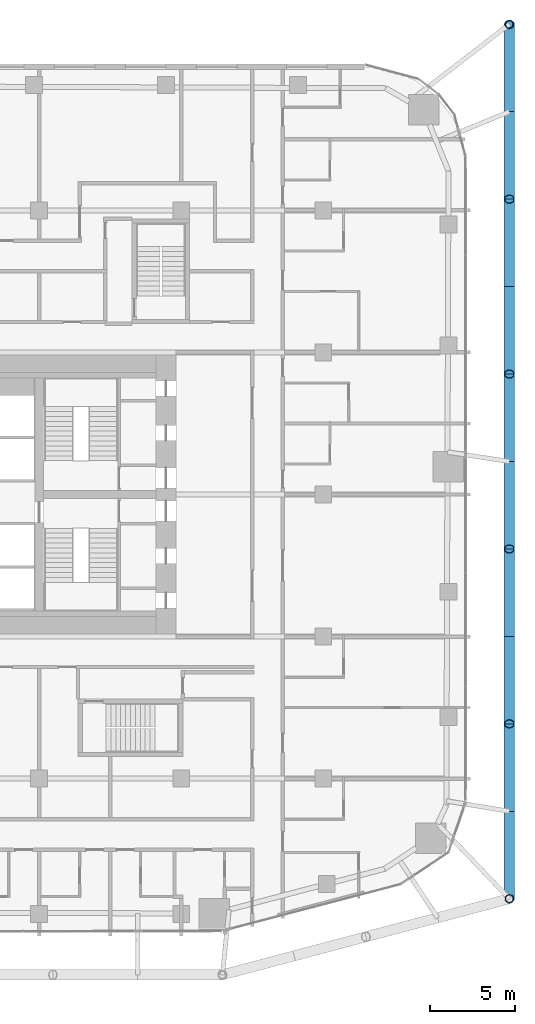
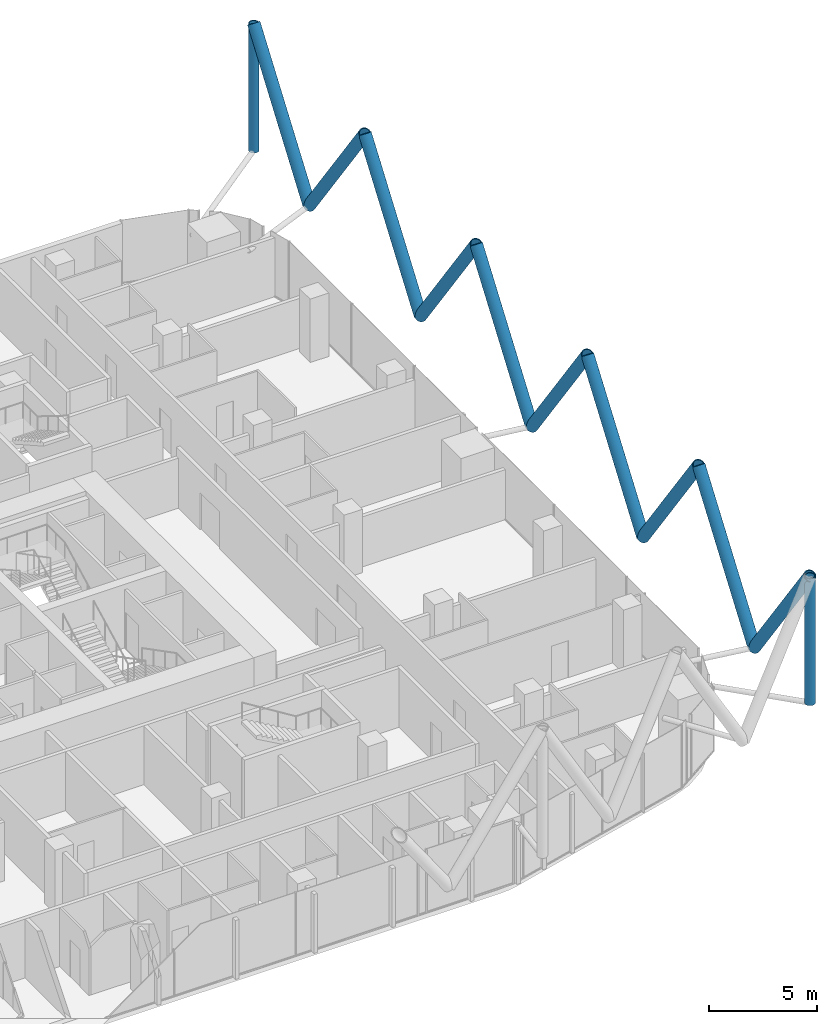
# One storey, part 15 of 38: 12 members.
"""IFC4 building model written with IfcOpenShell, lengths in metres."""

from ifc_helpers import new_model, si_unit, direction, frame, origin, origin_2d, place, context, subcontext, project, spatial, hollow_circle, extrude, material, material_profile, profile_set, type_object, element, save


model = new_model("IFC4")

# Units and contexts
model_context = context("Model", 3, precision=1e-05, world=origin(), true_north=direction((0.0, 1.0)))
body_context = subcontext(model_context, "Body", "Model", "MODEL_VIEW")
ifc_project = project(units=[si_unit("LENGTHUNIT", "METRE"), si_unit("AREAUNIT", "SQUARE_METRE"), si_unit("VOLUMEUNIT", "CUBIC_METRE"), si_unit("PLANEANGLEUNIT", "RADIAN"), si_unit("MASSUNIT", "GRAM", prefix="KILO")], contexts=[model_context])

# Site, building, storey
site_placement = place(None, origin())
site = spatial("IfcSite", under=ifc_project, at=site_placement, CompositionType="ELEMENT")
building_placement = place(site_placement, origin())
building = spatial("IfcBuilding", under=site, at=building_placement, Name="Marenta Gate Hotel Tower", CompositionType="ELEMENT")
storey_placement = place(building_placement, frame((0.0, 0.0, 40.10009765625)))
storey = spatial("IfcBuildingStorey", under=building, at=storey_placement, Name="L07", CompositionType="ELEMENT", Elevation=40.10009765625)

# Members
ifc_material_1 = material(Name="Steel S355J2W", Category="steel")
ifc_material_profile_1 = material_profile(ifc_material_1, hollow_circle(Radius=0.25390625, WallThickness=0.0400390625, at=origin_2d()), Name="CHS 508x40")
ifc_profile_set_1 = profile_set([ifc_material_profile_1], Name="Steel S355J2W")
member_type_1 = type_object("IfcMemberType", Name="Diagrid corner post Z1 CHS 508x40", PredefinedType="POST", material=ifc_profile_set_1)
for number, where, z_axis, x_axis, name in (
    (1, (32.0, 36.199951171875, 3.139892578125), (0.0, 0.0, 1.0), (1.0, 0.0, 0.0), "L07-DR-1"),
    (2, (32.0, -15.500244140625, 3.139892578125), (0.0, 0.0, 1.0), (1.0, 0.0, 0.0), "L07-DR-2"),
):
    element("IfcMember", number, at=place(storey_placement, frame(where, z_axis=z_axis, x_axis=x_axis)), inside=storey, type_object=member_type_1, Name=name, PredefinedType="POST", context=body_context, shape_type="SweptSolid", body=[
        extrude(hollow_circle(Radius=0.25390625, WallThickness=0.0400390625, at=origin_2d()), origin(), (0.0, 0.0, 1.0), 7.199951171875),
    ])
ifc_material_2 = material(Name="Steel S355J2W", Category="steel")
ifc_material_profile_2 = material_profile(ifc_material_2, hollow_circle(Radius=0.304931640625, WallThickness=0.0400390625, at=origin_2d()), Name="CHS 610x40")
ifc_profile_set_2 = profile_set([ifc_material_profile_2], Name="Steel S355J2W")
member_type_2 = type_object("IfcMemberType", Name="Diagrid diagonal Z1 CHS 610x40", PredefinedType="BRACE", material=ifc_profile_set_2)
for number, where, z_axis, x_axis, name in (
    (3, (32.0, 31.030029296875, 3.139892578125), (0.0, 0.583260841117, 0.812284919975), (-1.0, 0.0, 0.0), "L07-DG-1"),
    (4, (32.0, 31.030029296875, 3.139892578125), (0.0, -0.583260841117, 0.812284919975), (1.0, 0.0, 0.0), "L07-DG-2"),
):
    element("IfcMember", number, at=place(storey_placement, frame(where, z_axis=z_axis, x_axis=x_axis)), inside=storey, type_object=member_type_2, Name=name, PredefinedType="BRACE", context=body_context, shape_type="SweptSolid", body=[
        extrude(hollow_circle(Radius=0.304931640625, WallThickness=0.0400390625, at=origin_2d()), origin(), (0.0, 0.0, 1.0), 8.86376953125),
    ])
member_1_placement = place(storey_placement, frame((32.0, 20.68994140625, 3.139892578125), z_axis=(0.0, 0.583279014058, 0.812271870595), x_axis=(-1.0, 0.0, 0.0)))
element("IfcMember", 5, at=member_1_placement, inside=storey, type_object=member_type_2, Name="L07-DG-3", PredefinedType="BRACE", context=body_context, shape_type="SweptSolid", body=[
    extrude(hollow_circle(Radius=0.304931640625, WallThickness=0.0400390625, at=origin_2d()), origin(), (0.0, 0.0, 1.0), 8.864013671875),
])
member_2_placement = place(storey_placement, frame((32.0, 20.68994140625, 3.139892578125), z_axis=(0.0, -0.583260841117, 0.812284919975), x_axis=(1.0, 0.0, 0.0)))
element("IfcMember", 6, at=member_2_placement, inside=storey, type_object=member_type_2, Name="L07-DG-4", PredefinedType="BRACE", context=body_context, shape_type="SweptSolid", body=[
    extrude(hollow_circle(Radius=0.304931640625, WallThickness=0.0400390625, at=origin_2d()), origin(), (0.0, 0.0, 1.0), 8.86376953125),
])
member_3_placement = place(storey_placement, frame((32.0, 10.349853515625, 3.139892578125), z_axis=(0.0, 0.583279014058, 0.812271870595), x_axis=(-1.0, 0.0, 0.0)))
element("IfcMember", 7, at=member_3_placement, inside=storey, type_object=member_type_2, Name="L07-DG-5", PredefinedType="BRACE", context=body_context, shape_type="SweptSolid", body=[
    extrude(hollow_circle(Radius=0.304931640625, WallThickness=0.0400390625, at=origin_2d()), origin(), (0.0, 0.0, 1.0), 8.864013671875),
])
for number, where, z_axis, x_axis, name in (
    (8, (32.0, 10.349853515625, 3.139892578125), (0.0, -0.583260841117, 0.812284919975), (1.0, 0.0, 0.0), "L07-DG-6"),
    (9, (32.0, 0.010009765625, 3.139892578125), (0.0, 0.583260841117, 0.812284919975), (-1.0, 0.0, 0.0), "L07-DG-7"),
):
    element("IfcMember", number, at=place(storey_placement, frame(where, z_axis=z_axis, x_axis=x_axis)), inside=storey, type_object=member_type_2, Name=name, PredefinedType="BRACE", context=body_context, shape_type="SweptSolid", body=[
        extrude(hollow_circle(Radius=0.304931640625, WallThickness=0.0400390625, at=origin_2d()), origin(), (0.0, 0.0, 1.0), 8.86376953125),
    ])
member_4_placement = place(storey_placement, frame((32.0, 0.010009765625, 3.139892578125), z_axis=(0.0, -0.583279014058, 0.812271870595), x_axis=(1.0, 0.0, 0.0)))
element("IfcMember", 10, at=member_4_placement, inside=storey, type_object=member_type_2, Name="L07-DG-8", PredefinedType="BRACE", context=body_context, shape_type="SweptSolid", body=[
    extrude(hollow_circle(Radius=0.304931640625, WallThickness=0.0400390625, at=origin_2d()), origin(), (0.0, 0.0, 1.0), 8.864013671875),
])
member_5_placement = place(storey_placement, frame((32.0, -10.330078125, 3.139892578125), z_axis=(0.0, 0.583260841117, 0.812284919975), x_axis=(-1.0, 0.0, 0.0)))
element("IfcMember", 11, at=member_5_placement, inside=storey, type_object=member_type_2, Name="L07-DG-9", PredefinedType="BRACE", context=body_context, shape_type="SweptSolid", body=[
    extrude(hollow_circle(Radius=0.304931640625, WallThickness=0.0400390625, at=origin_2d()), origin(), (0.0, 0.0, 1.0), 8.86376953125),
])
member_6_placement = place(storey_placement, frame((32.0, -10.330078125, 3.139892578125), z_axis=(0.0, -0.583279014058, 0.812271870595), x_axis=(1.0, 0.0, 0.0)))
element("IfcMember", 12, at=member_6_placement, inside=storey, type_object=member_type_2, Name="L07-DG-10", PredefinedType="BRACE", context=body_context, shape_type="SweptSolid", body=[
    extrude(hollow_circle(Radius=0.304931640625, WallThickness=0.0400390625, at=origin_2d()), origin(), (0.0, 0.0, 1.0), 8.864013671875),
])

save(model, "model.ifc")
